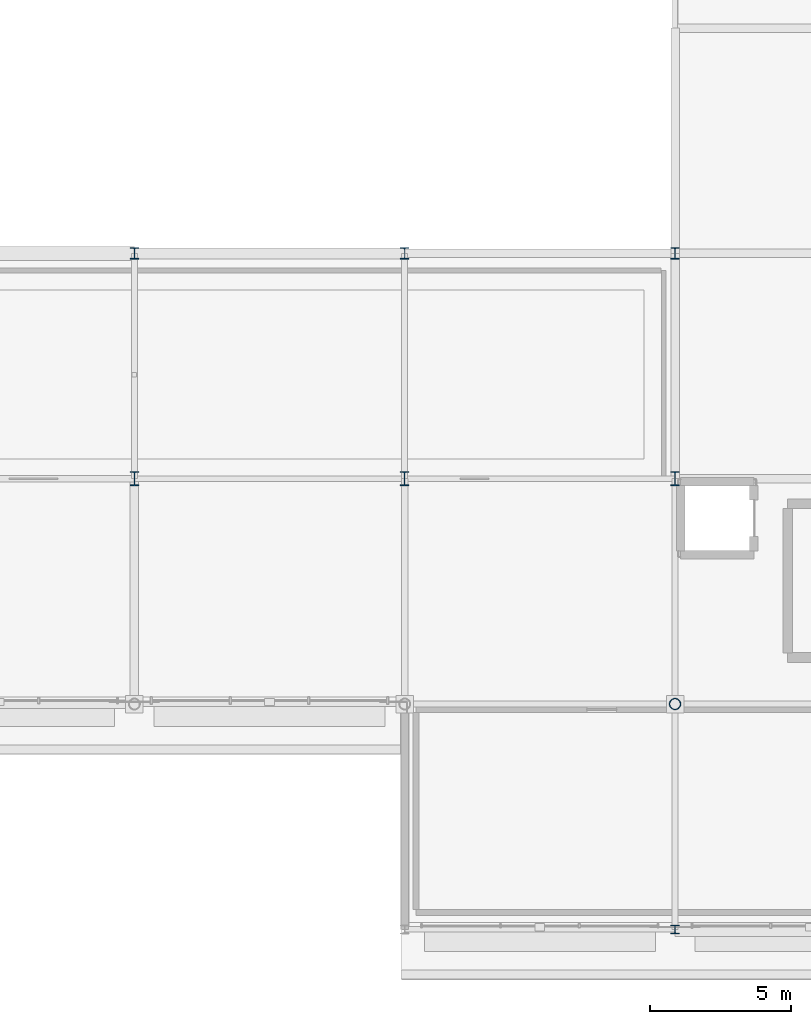
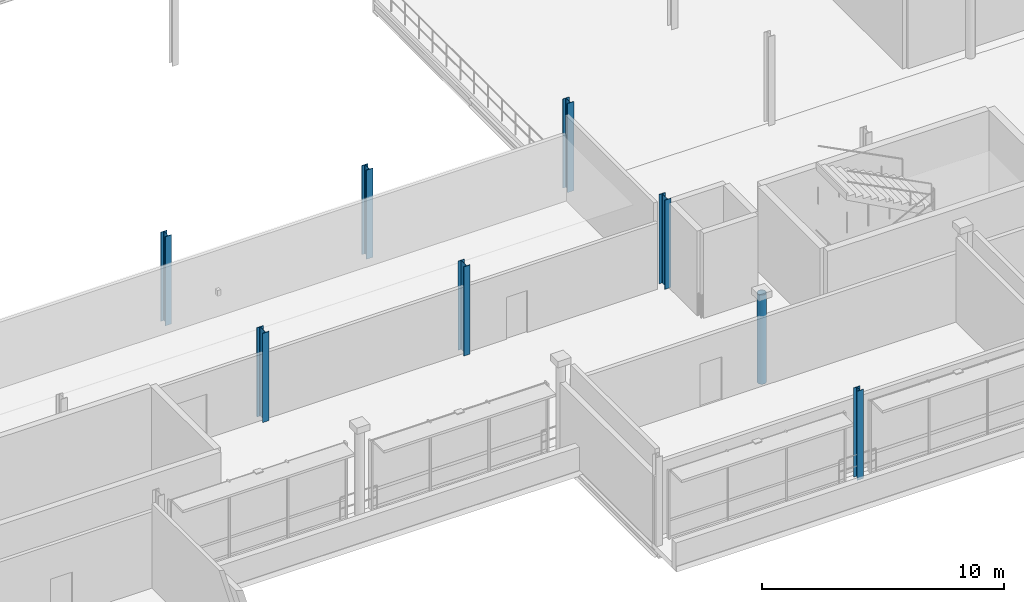
# One storey, part 11 of 193: 8 columns.
"""IFC4 building model written with IfcOpenShell, lengths in metres."""

from ifc_helpers import new_model, si_unit, direction, frame, origin, origin_2d, place, context, subcontext, project, spatial, hollow_circle, i_section, extrude, material, material_profile, profile_set, type_object, element, save


model = new_model("IFC4")

# Units and contexts
model_context = context("Model", 3, precision=1e-05, world=origin(), true_north=direction((0.0, 1.0)))
body_context = subcontext(model_context, "Body", "Model", "MODEL_VIEW")
ifc_project = project(units=[si_unit("LENGTHUNIT", "METRE"), si_unit("AREAUNIT", "SQUARE_METRE"), si_unit("VOLUMEUNIT", "CUBIC_METRE"), si_unit("PLANEANGLEUNIT", "RADIAN"), si_unit("MASSUNIT", "GRAM", prefix="KILO")], contexts=[model_context])

# Site, building, storey
site_placement = place(None, origin())
site = spatial("IfcSite", under=ifc_project, at=site_placement, CompositionType="ELEMENT")
building_placement = place(site_placement, origin())
building = spatial("IfcBuilding", under=site, at=building_placement, Name="Danafjord Basin Convention Centre", CompositionType="ELEMENT")
storey_placement = place(building_placement, frame((0.0, 0.0, 11.39990234375)))
storey = spatial("IfcBuildingStorey", under=building, at=storey_placement, Name="L02", CompositionType="ELEMENT", Elevation=11.39990234375)

# Columns
ifc_material = material(Name="Steel S355", Category="steel")
ifc_material_profile_1 = material_profile(ifc_material, hollow_circle(Radius=0.203125, WallThickness=0.02001953125, at=origin_2d()), Name="CHS 406.4x20.0")
ifc_profile_set_1 = profile_set([ifc_material_profile_1], Name="Steel S355")
column_type_1 = type_object("IfcColumnType", Name="COL-C-CHS406", PredefinedType="COLUMN", material=ifc_profile_set_1)
column_1_placement = place(storey_placement, frame((182.39990234375, 8.0, 0.0), z_axis=(0.0, 0.0, 1.0), x_axis=(1.0, 0.0, 0.0)))
element("IfcColumn", 1, at=column_1_placement, inside=storey, type_object=column_type_1, Name="L02 column C-CHS406 at (182.4, 8.0)", PredefinedType="COLUMN", context=body_context, shape_type="SweptSolid", body=[
    extrude(hollow_circle(Radius=0.203125, WallThickness=0.02001953125, at=origin_2d()), origin(), (0.0, 0.0, 1.0), 4.5),
])
ifc_material_profile_2 = material_profile(ifc_material, i_section(OverallWidth=0.300048828125, OverallDepth=0.300048828125, WebThickness=0.010986328125, FlangeThickness=0.01904296875, FilletRadius=0.027099609375, at=origin_2d()), Name="HEB 300")
ifc_profile_set_2 = profile_set([ifc_material_profile_2], Name="Steel S355")
column_type_2 = type_object("IfcColumnType", Name="COL-C-HEB300", PredefinedType="COLUMN", material=ifc_profile_set_2)
column_2_placement = place(storey_placement, frame((182.39990234375, 0.0, 0.0), z_axis=(0.0, 0.0, 1.0), x_axis=(1.0, 0.0, 0.0)))
element("IfcColumn", 2, at=column_2_placement, inside=storey, type_object=column_type_2, Name="L02 column C-HEB300 at (182.4, 0.0)", PredefinedType="COLUMN", context=body_context, shape_type="SweptSolid", body=[
    extrude(i_section(OverallWidth=0.300048828125, OverallDepth=0.300048828125, WebThickness=0.010986328125, FlangeThickness=0.01904296875, FilletRadius=0.027099609375, at=origin_2d()), origin(), (0.0, 0.0, 1.0), 4.5),
])
ifc_material_profile_3 = material_profile(ifc_material, i_section(OverallWidth=0.300048828125, OverallDepth=0.39990234375, WebThickness=0.013427734375, FlangeThickness=0.02392578125, FilletRadius=0.027099609375, at=origin_2d()), Name="HEB 400")
ifc_profile_set_3 = profile_set([ifc_material_profile_3], Name="Steel S355")
column_type_3 = type_object("IfcColumnType", Name="COL-C-HEB400", PredefinedType="COLUMN", material=ifc_profile_set_3)
for number, where, z_axis, x_axis, name in (
    (3, (163.199951171875, 24.0, 0.0), (0.0, 0.0, 1.0), (1.0, 0.0, 0.0), "L02 column C-HEB400 at (163.2, 24.0)"),
    (4, (172.800048828125, 24.0, 0.0), (0.0, 0.0, 1.0), (1.0, 0.0, 0.0), "L02 column C-HEB400 at (172.8, 24.0)"),
    (5, (182.39990234375, 24.0, 0.0), (0.0, 0.0, 1.0), (1.0, 0.0, 0.0), "L02 column C-HEB400 at (182.4, 24.0)"),
):
    element("IfcColumn", number, at=place(storey_placement, frame(where, z_axis=z_axis, x_axis=x_axis)), inside=storey, type_object=column_type_3, Name=name, PredefinedType="COLUMN", context=body_context, shape_type="SweptSolid", body=[
        extrude(i_section(OverallWidth=0.300048828125, OverallDepth=0.39990234375, WebThickness=0.013427734375, FlangeThickness=0.02392578125, FilletRadius=0.027099609375, at=origin_2d()), origin(), (0.0, 0.0, 1.0), 4.5),
    ])
ifc_material_profile_4 = material_profile(ifc_material, i_section(OverallWidth=0.300048828125, OverallDepth=0.5, WebThickness=0.014404296875, FlangeThickness=0.028076171875, FilletRadius=0.027099609375, at=origin_2d()), Name="HEB 500")
ifc_profile_set_4 = profile_set([ifc_material_profile_4], Name="Steel S355")
column_type_4 = type_object("IfcColumnType", Name="COL-C-HEB500", PredefinedType="COLUMN", material=ifc_profile_set_4)
for number, where, z_axis, x_axis, name in (
    (6, (163.199951171875, 16.0, 0.0), (0.0, 0.0, 1.0), (1.0, 0.0, 0.0), "L02 column C-HEB500 at (163.2, 16.0)"),
    (7, (172.800048828125, 16.0, 0.0), (0.0, 0.0, 1.0), (1.0, 0.0, 0.0), "L02 column C-HEB500 at (172.8, 16.0)"),
    (8, (182.39990234375, 16.0, 0.0), (0.0, 0.0, 1.0), (1.0, 0.0, 0.0), "L02 column C-HEB500 at (182.4, 16.0)"),
):
    element("IfcColumn", number, at=place(storey_placement, frame(where, z_axis=z_axis, x_axis=x_axis)), inside=storey, type_object=column_type_4, Name=name, PredefinedType="COLUMN", context=body_context, shape_type="SweptSolid", body=[
        extrude(i_section(OverallWidth=0.300048828125, OverallDepth=0.5, WebThickness=0.014404296875, FlangeThickness=0.028076171875, FilletRadius=0.027099609375, at=origin_2d()), origin(), (0.0, 0.0, 1.0), 4.5),
    ])

save(model, "model.ifc")
